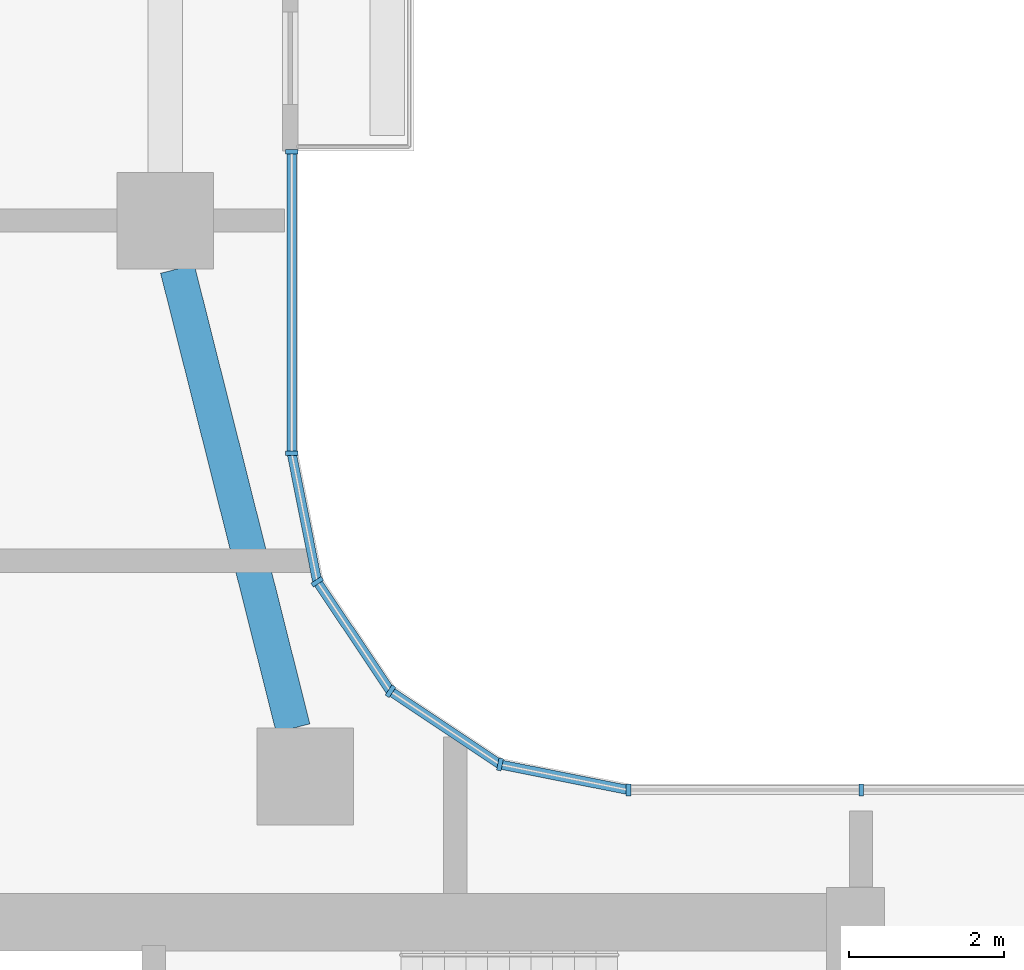
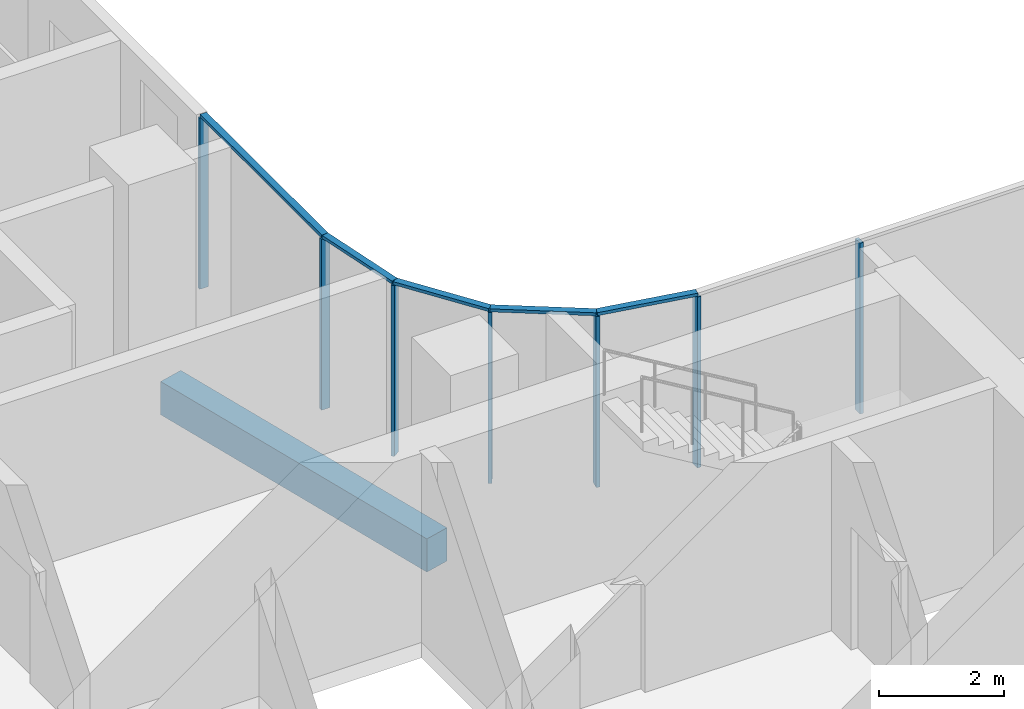
# One storey, part 2 of 23: 12 members, 1 beam, 3 elements without a shape of their own.
"""IFC4 building model written with IfcOpenShell, lengths in metres."""

from ifc_helpers import new_model, si_unit, direction, frame, origin, origin_2d, place, context, subcontext, project, spatial, rectangle, extrude, material, material_profile, profile_set, type_object, element, aggregate, save


model = new_model("IFC4")

# Units and contexts
model_context = context("Model", 3, precision=1e-05, world=origin(), true_north=direction((0.0, 1.0)))
body_context = subcontext(model_context, "Body", "Model", "MODEL_VIEW")
ifc_project = project(units=[si_unit("LENGTHUNIT", "METRE"), si_unit("AREAUNIT", "SQUARE_METRE"), si_unit("VOLUMEUNIT", "CUBIC_METRE"), si_unit("PLANEANGLEUNIT", "RADIAN"), si_unit("MASSUNIT", "GRAM", prefix="KILO")], contexts=[model_context])

# Site, building, storey
site_placement = place(None, origin())
site = spatial("IfcSite", under=ifc_project, at=site_placement, CompositionType="ELEMENT")
building_placement = place(site_placement, origin())
building = spatial("IfcBuilding", under=site, at=building_placement, Name="Ogive Portal Towers", CompositionType="ELEMENT")
storey_placement = place(building_placement, frame((0.0, 0.0, 127.800048828125)))
storey = spatial("IfcBuildingStorey", under=building, at=storey_placement, Name="L31", CompositionType="ELEMENT", Elevation=127.800048828125)

# Curtain wall, members
ifc_material_1 = material(Name="Glass, clear low-iron insulated glazing", Category="glass")
curtain_wall_type = type_object("IfcCurtainWallType", Name="CW FRONT RIBBON 4500", PredefinedType="NOTDEFINED", material=ifc_material_1)
curtain_wall_1_placement = place(storey_placement, origin())
curtain_wall_1 = element("IfcCurtainWall", 1, at=curtain_wall_1_placement, inside=storey, type_object=curtain_wall_type, Name="A:L31:f13:cw1", PredefinedType="NOTDEFINED")
ifc_material_2 = material(Name="Aluminium 6063 anodised", Category="aluminium")
ifc_material_profile_1 = material_profile(ifc_material_2, rectangle(XDim=0.159912109375, YDim=0.06005859375, at=origin_2d()), Name="AL 60x160")
ifc_profile_set_1 = profile_set([ifc_material_profile_1], Name="Aluminium 6063 anodised")
member_type_1 = type_object("IfcMemberType", Name="CW MULLION 60x160", PredefinedType="MULLION", material=ifc_profile_set_1)
member_1_placement = place(storey_placement, frame((58.5, 41.135009765625, 0.0), z_axis=(0.0, 0.0, 1.0), x_axis=(0.0, -1.0, 0.0)))
member_1 = element("IfcMember", 2, at=member_1_placement, type_object=member_type_1, Name="mullion", PredefinedType="MULLION", context=body_context, shape_type="SweptSolid", body=[
    extrude(rectangle(XDim=0.159912109375, YDim=0.06005859375, at=origin_2d()), origin(), (0.0, 0.0, 1.0), 3.33984375),
])
member_2_placement = place(storey_placement, frame((55.4921875, 41.135009765625, 0.0), z_axis=(0.0, 0.0, 1.0), x_axis=(0.0, -1.0, 0.0)))
member_2 = element("IfcMember", 3, at=member_2_placement, type_object=member_type_1, Name="mullion", PredefinedType="MULLION", context=body_context, shape_type="SweptSolid", body=[
    extrude(rectangle(XDim=0.159912109375, YDim=0.06005859375, at=origin_2d()), origin(), (0.0, 0.0, 1.0), 3.33984375),
])
aggregate(curtain_wall_1, [member_1, member_2])

curtain_wall_2_placement = place(storey_placement, origin())
curtain_wall_2 = element("IfcCurtainWall", 4, at=curtain_wall_2_placement, inside=storey, type_object=curtain_wall_type, Name="A:L31:f18:cw0", PredefinedType="NOTDEFINED")
member_3_placement = place(storey_placement, frame((51.135009765625, 45.4921875, 0.0), z_axis=(0.0, 0.0, 1.0), x_axis=(-1.0, 0.0, 0.0)))
member_3 = element("IfcMember", 5, at=member_3_placement, type_object=member_type_1, Name="mullion", PredefinedType="MULLION", context=body_context, shape_type="SweptSolid", body=[
    extrude(rectangle(XDim=0.159912109375, YDim=0.06005859375, at=origin_2d()), origin(), (0.0, 0.0, 1.0), 3.33984375),
])
member_4_placement = place(storey_placement, frame((51.135009765625, 49.3916015625, 0.0), z_axis=(0.0, 0.0, 1.0), x_axis=(-1.0, 0.0, 0.0)))
member_4 = element("IfcMember", 6, at=member_4_placement, type_object=member_type_1, Name="mullion", PredefinedType="MULLION", context=body_context, shape_type="SweptSolid", body=[
    extrude(rectangle(XDim=0.159912109375, YDim=0.06005859375, at=origin_2d()), origin(), (0.0, 0.0, 1.0), 3.33984375),
])

curtain_wall_3_placement = place(storey_placement, origin())
curtain_wall_3 = element("IfcCurtainWall", 7, at=curtain_wall_3_placement, inside=storey, type_object=curtain_wall_type, Name="A:L31:f14:cwa", PredefinedType="NOTDEFINED")
member_5_placement = place(storey_placement, frame((53.8291015625, 41.4658203125, 0.0), z_axis=(0.0, 0.0, 1.0), x_axis=(-0.195090322016, -0.980785280403, 0.0)))
member_5 = element("IfcMember", 8, at=member_5_placement, type_object=member_type_1, Name="mullion", PredefinedType="MULLION", context=body_context, shape_type="SweptSolid", body=[
    extrude(rectangle(XDim=0.159912109375, YDim=0.06005859375, at=origin_2d()), origin(), (0.0, 0.0, 1.0), 3.33984375),
])
member_6_placement = place(storey_placement, frame((52.412353515625, 42.412353515625, 0.0), z_axis=(0.0, 0.0, 1.0), x_axis=(-0.55557023302, -0.831469612303, 0.0)))
member_6 = element("IfcMember", 9, at=member_6_placement, type_object=member_type_1, Name="mullion", PredefinedType="MULLION", context=body_context, shape_type="SweptSolid", body=[
    extrude(rectangle(XDim=0.159912109375, YDim=0.06005859375, at=origin_2d()), origin(), (0.0, 0.0, 1.0), 3.33984375),
])
member_7_placement = place(storey_placement, frame((51.4658203125, 43.8291015625, 0.0), z_axis=(0.0, 0.0, 1.0), x_axis=(-0.831469612303, -0.55557023302, 0.0)))
member_7 = element("IfcMember", 10, at=member_7_placement, type_object=member_type_1, Name="mullion", PredefinedType="MULLION", context=body_context, shape_type="SweptSolid", body=[
    extrude(rectangle(XDim=0.159912109375, YDim=0.06005859375, at=origin_2d()), origin(), (0.0, 0.0, 1.0), 3.33984375),
])

# Member
ifc_material_profile_2 = material_profile(ifc_material_2, rectangle(XDim=0.1201171875, YDim=0.06005859375, at=origin_2d()), Name="AL 120x60")
ifc_profile_set_2 = profile_set([ifc_material_profile_2], Name="Aluminium 6063 anodised")
member_type_2 = type_object("IfcMemberType", Name="CW TRANSOM 60x120", PredefinedType="USERDEFINED", material=ifc_profile_set_2)
member_8_placement = place(storey_placement, frame((51.135009765625, 45.4921875, 3.369873046875), z_axis=(0.0, 1.0, 0.0), x_axis=(-1.0, 0.0, 0.0)))
member_8 = element("IfcMember", 11, at=member_8_placement, type_object=member_type_2, Name="transom", ObjectType="TRANSOM", PredefinedType="USERDEFINED", context=body_context, shape_type="SweptSolid", body=[
    extrude(rectangle(XDim=0.1201171875, YDim=0.06005859375, at=origin_2d()), origin(), (0.0, 0.0, 1.0), 3.8994140625),
])

aggregate(curtain_wall_2, [member_8, member_3, member_4])

member_9_placement = place(storey_placement, frame((55.4921875, 41.135009765625, 3.369873046875), z_axis=(-0.980785033743, 0.195091562056, 0.0), x_axis=(-0.195091562056, -0.980785033743, 0.0)))
member_9 = element("IfcMember", 12, at=member_9_placement, type_object=member_type_2, Name="transom", ObjectType="TRANSOM", PredefinedType="USERDEFINED", context=body_context, shape_type="SweptSolid", body=[
    extrude(rectangle(XDim=0.1201171875, YDim=0.06005859375, at=origin_2d()), origin(), (0.0, 0.0, 1.0), 1.695556640625),
])

member_10_placement = place(storey_placement, frame((53.8291015625, 41.4658203125, 3.369873046875), z_axis=(-0.831498776979, 0.555526582517, 0.0), x_axis=(-0.555526582517, -0.831498776979, 0.0)))
member_10 = element("IfcMember", 13, at=member_10_placement, type_object=member_type_2, Name="transom", ObjectType="TRANSOM", PredefinedType="USERDEFINED", context=body_context, shape_type="SweptSolid", body=[
    extrude(rectangle(XDim=0.1201171875, YDim=0.06005859375, at=origin_2d()), origin(), (0.0, 0.0, 1.0), 1.703857421875),
])

member_11_placement = place(storey_placement, frame((52.412353515625, 42.412353515625, 3.369873046875), z_axis=(-0.555526582517, 0.831498776979, 0.0), x_axis=(-0.831498776979, -0.555526582517, 0.0)))
member_11 = element("IfcMember", 14, at=member_11_placement, type_object=member_type_2, Name="transom", ObjectType="TRANSOM", PredefinedType="USERDEFINED", context=body_context, shape_type="SweptSolid", body=[
    extrude(rectangle(XDim=0.1201171875, YDim=0.06005859375, at=origin_2d()), origin(), (0.0, 0.0, 1.0), 1.703857421875),
])

member_12_placement = place(storey_placement, frame((51.4658203125, 43.8291015625, 3.369873046875), z_axis=(-0.195091562056, 0.980785033743, 0.0), x_axis=(-0.980785033743, -0.195091562056, 0.0)))
member_12 = element("IfcMember", 15, at=member_12_placement, type_object=member_type_2, Name="transom", ObjectType="TRANSOM", PredefinedType="USERDEFINED", context=body_context, shape_type="SweptSolid", body=[
    extrude(rectangle(XDim=0.1201171875, YDim=0.06005859375, at=origin_2d()), origin(), (0.0, 0.0, 1.0), 1.695556640625),
])

aggregate(curtain_wall_3, [member_9, member_10, member_11, member_12, member_5, member_6, member_7])

# Beam
ifc_material_3 = material(Name="Concrete C50/60", Category="concrete")
ifc_material_profile_3 = material_profile(ifc_material_3, rectangle(XDim=0.449951171875, YDim=0.64990234375, at=origin_2d()), Name="RC 450x650")
ifc_profile_set_3 = profile_set([ifc_material_profile_3], Name="Concrete C50/60")
beam_type = type_object("IfcBeamType", Name="SPANDREL BEAM RC 450x650", PredefinedType="BEAM", material=ifc_profile_set_3)
beam_placement = place(storey_placement, frame((49.6572265625, 47.875, -0.625), z_axis=(0.24412961337, -0.969742611148, 0.0), x_axis=(0.969742611148, 0.24412961337, 0.0)))
element("IfcBeam", 16, at=beam_placement, inside=storey, type_object=beam_type, Name="Spandrel beam L31", PredefinedType="BEAM", context=body_context, shape_type="SweptSolid", body=[
    extrude(rectangle(XDim=0.449951171875, YDim=0.64990234375, at=origin_2d()), origin(), (0.0, 0.0, 1.0), 6.125244140625),
])

save(model, "model.ifc")
